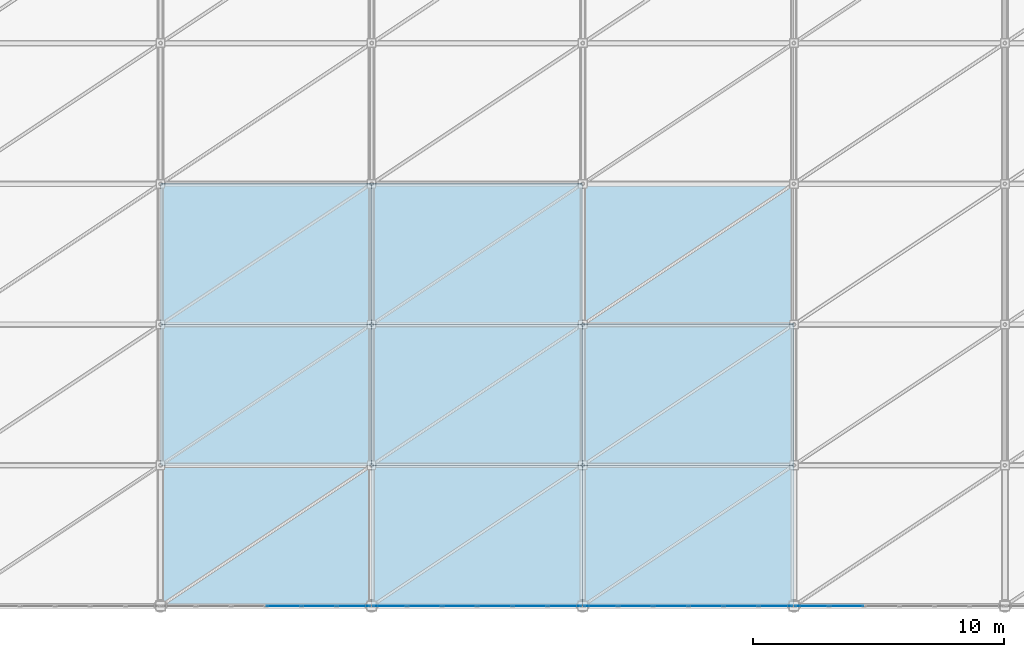
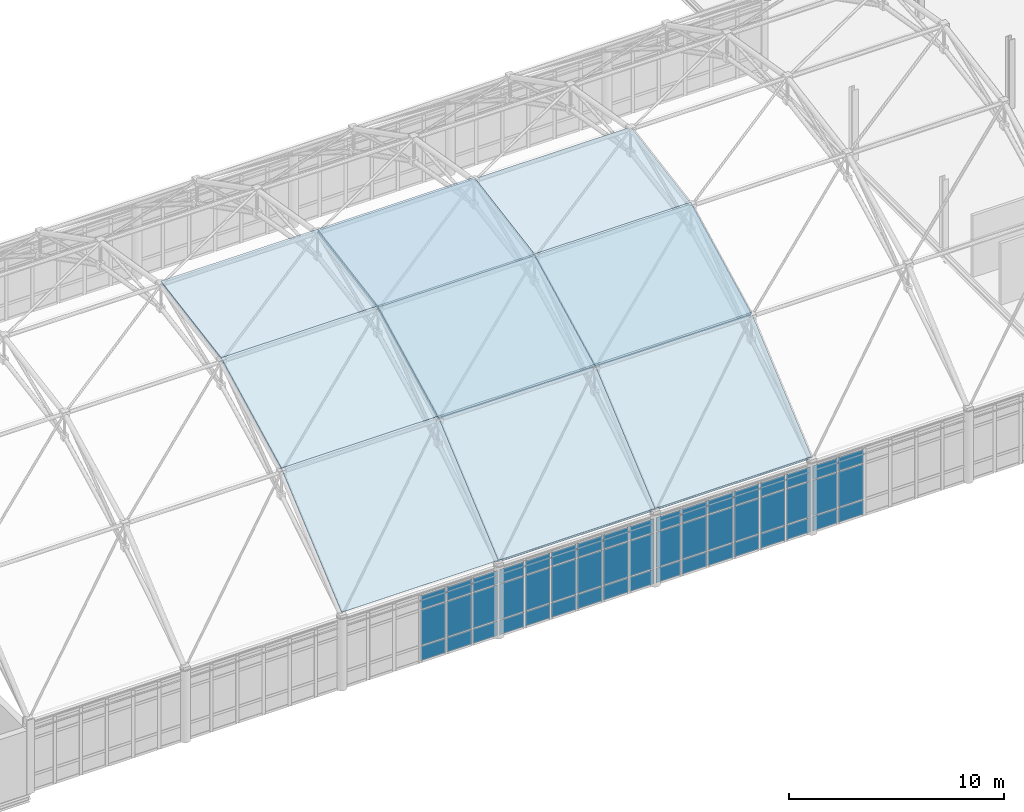
# One storey, part 138 of 184: 59 plates, 8 slabs, 5 elements without a shape of their own.
"""IFC4 building model written with IfcOpenShell, lengths in metres."""

from ifc_helpers import new_model, si_unit, direction, frame, origin, origin_2d, place, context, subcontext, project, spatial, polyline, rectangle, outline, extrude, material, layer, layer_set, type_object, element, aggregate, save


model = new_model("IFC4")

# Units and contexts
model_context = context("Model", 3, precision=1e-05, world=origin(), true_north=direction((0.0, 1.0)))
body_context = subcontext(model_context, "Body", "Model", "MODEL_VIEW")
ifc_project = project(units=[si_unit("LENGTHUNIT", "METRE"), si_unit("AREAUNIT", "SQUARE_METRE"), si_unit("VOLUMEUNIT", "CUBIC_METRE"), si_unit("PLANEANGLEUNIT", "RADIAN"), si_unit("MASSUNIT", "GRAM", prefix="KILO")], contexts=[model_context])

# Site, building, storey
site_placement = place(None, origin())
site = spatial("IfcSite", under=ifc_project, at=site_placement, CompositionType="ELEMENT")
building_placement = place(site_placement, origin())
building = spatial("IfcBuilding", under=site, at=building_placement, Name="Qalvenar Corner Mobility Hub", CompositionType="ELEMENT")
storey_placement = place(building_placement, frame((0.0, 0.0, 9.0)))
storey = spatial("IfcBuildingStorey", under=building, at=storey_placement, Name="L02", CompositionType="ELEMENT", Elevation=9.0)

# Curtain wall, plates
ifc_material_1 = material(Name="Anodised Aluminium and Low-E Glazing", Category="aluminium")
ifc_layer_1 = layer(ifc_material_1, 0.179931640625)
ifc_layer_set_1 = layer_set([ifc_layer_1], Name="Anodised Aluminium and Low-E Glazing")
curtain_wall_type = type_object("IfcCurtainWallType", Name="CW-CONC-84X42", PredefinedType="NOTDEFINED", material=ifc_layer_set_1)
curtain_wall_1_placement = place(storey_placement, origin())
curtain_wall_1 = element("IfcCurtainWall", 1, at=curtain_wall_1_placement, inside=storey, type_object=curtain_wall_type, Name="Glazed Curtain Wall CW-V1-L02-S2", PredefinedType="NOTDEFINED")
ifc_material_2 = material(Name="Solar-Control Low-E Double Glazing", Category="glass")
ifc_layer_2 = layer(ifc_material_2, 0.028076171875)
ifc_layer_set_2 = layer_set([ifc_layer_2], Name="Solar-Control Low-E Double Glazing")
plate_type_1 = type_object("IfcPlateType", Name="PLT-CWP-GLZ1", PredefinedType="CURTAIN_PANEL", material=ifc_layer_set_2)
plate_1_placement = place(storey_placement, frame((72.10009765625, 0.0, 0.05517578125), z_axis=(0.0, 0.0, 1.0), x_axis=(1.0, 0.0, 0.0)))
plate_1 = element("IfcPlate", 2, at=plate_1_placement, type_object=plate_type_1, Name="CW-02 panel 4.1", PredefinedType="CURTAIN_PANEL", context=body_context, shape_type="SweptSolid", body=[
    extrude(rectangle(XDim=1.340087890625, YDim=0.028076171875, at=origin_2d()), origin(), (0.0, 0.0, 1.0), 0.8173828125),
])
plate_2_placement = place(storey_placement, frame((72.10009765625, 0.0, 0.927490234375), z_axis=(0.0, 0.0, 1.0), x_axis=(1.0, 0.0, 0.0)))
plate_2 = element("IfcPlate", 3, at=plate_2_placement, type_object=plate_type_1, Name="CW-02 panel 4.2", PredefinedType="CURTAIN_PANEL", context=body_context, shape_type="SweptSolid", body=[
    extrude(rectangle(XDim=1.340087890625, YDim=0.028076171875, at=origin_2d()), origin(), (0.0, 0.0, 1.0), 1.9951171875),
])
plate_3_placement = place(storey_placement, frame((72.10009765625, 0.0, 2.9775390625), z_axis=(0.0, 0.0, 1.0), x_axis=(1.0, 0.0, 0.0)))
plate_3 = element("IfcPlate", 4, at=plate_3_placement, type_object=plate_type_1, Name="CW-02 panel 4.3", PredefinedType="CURTAIN_PANEL", context=body_context, shape_type="SweptSolid", body=[
    extrude(rectangle(XDim=1.340087890625, YDim=0.028076171875, at=origin_2d()), origin(), (0.0, 0.0, 1.0), 0.767578125),
])
plate_4_placement = place(storey_placement, frame((73.5, 0.0, 0.05517578125), z_axis=(0.0, 0.0, 1.0), x_axis=(1.0, 0.0, 0.0)))
plate_4 = element("IfcPlate", 5, at=plate_4_placement, type_object=plate_type_1, Name="CW-02 panel 5.1", PredefinedType="CURTAIN_PANEL", context=body_context, shape_type="SweptSolid", body=[
    extrude(rectangle(XDim=1.340087890625, YDim=0.028076171875, at=origin_2d()), origin(), (0.0, 0.0, 1.0), 0.8173828125),
])
plate_5_placement = place(storey_placement, frame((73.5, 0.0, 0.927490234375), z_axis=(0.0, 0.0, 1.0), x_axis=(1.0, 0.0, 0.0)))
plate_5 = element("IfcPlate", 6, at=plate_5_placement, type_object=plate_type_1, Name="CW-02 panel 5.2", PredefinedType="CURTAIN_PANEL", context=body_context, shape_type="SweptSolid", body=[
    extrude(rectangle(XDim=1.340087890625, YDim=0.028076171875, at=origin_2d()), origin(), (0.0, 0.0, 1.0), 1.9951171875),
])
plate_6_placement = place(storey_placement, frame((73.5, 0.0, 2.9775390625), z_axis=(0.0, 0.0, 1.0), x_axis=(1.0, 0.0, 0.0)))
plate_6 = element("IfcPlate", 7, at=plate_6_placement, type_object=plate_type_1, Name="CW-02 panel 5.3", PredefinedType="CURTAIN_PANEL", context=body_context, shape_type="SweptSolid", body=[
    extrude(rectangle(XDim=1.340087890625, YDim=0.028076171875, at=origin_2d()), origin(), (0.0, 0.0, 1.0), 0.767578125),
])
plate_7_placement = place(storey_placement, frame((74.885009765625, 0.0, 0.05517578125), z_axis=(0.0, 0.0, 1.0), x_axis=(1.0, 0.0, 0.0)))
plate_7 = element("IfcPlate", 8, at=plate_7_placement, type_object=plate_type_1, Name="CW-02 panel 6.1", PredefinedType="CURTAIN_PANEL", context=body_context, shape_type="SweptSolid", body=[
    extrude(rectangle(XDim=1.31005859375, YDim=0.028076171875, at=origin_2d()), origin(), (0.0, 0.0, 1.0), 0.8173828125),
])
plate_8_placement = place(storey_placement, frame((74.885009765625, 0.0, 0.927490234375), z_axis=(0.0, 0.0, 1.0), x_axis=(1.0, 0.0, 0.0)))
plate_8 = element("IfcPlate", 9, at=plate_8_placement, type_object=plate_type_1, Name="CW-02 panel 6.2", PredefinedType="CURTAIN_PANEL", context=body_context, shape_type="SweptSolid", body=[
    extrude(rectangle(XDim=1.31005859375, YDim=0.028076171875, at=origin_2d()), origin(), (0.0, 0.0, 1.0), 1.9951171875),
])
plate_9_placement = place(storey_placement, frame((74.885009765625, 0.0, 2.9775390625), z_axis=(0.0, 0.0, 1.0), x_axis=(1.0, 0.0, 0.0)))
plate_9 = element("IfcPlate", 10, at=plate_9_placement, type_object=plate_type_1, Name="CW-02 panel 6.3", PredefinedType="CURTAIN_PANEL", context=body_context, shape_type="SweptSolid", body=[
    extrude(rectangle(XDim=1.31005859375, YDim=0.028076171875, at=origin_2d()), origin(), (0.0, 0.0, 1.0), 0.767578125),
])
aggregate(curtain_wall_1, [plate_1, plate_2, plate_3, plate_4, plate_5, plate_6, plate_7, plate_8, plate_9])

curtain_wall_2_placement = place(storey_placement, origin())
curtain_wall_2 = element("IfcCurtainWall", 11, at=curtain_wall_2_placement, inside=storey, type_object=curtain_wall_type, Name="Glazed Curtain Wall CW-V1-L02-S3", PredefinedType="NOTDEFINED")
plate_10_placement = place(storey_placement, frame((76.31494140625, 0.0, 0.05517578125), z_axis=(0.0, 0.0, 1.0), x_axis=(1.0, 0.0, 0.0)))
plate_10 = element("IfcPlate", 12, at=plate_10_placement, type_object=plate_type_1, Name="CW-02 panel 1.1", PredefinedType="CURTAIN_PANEL", context=body_context, shape_type="SweptSolid", body=[
    extrude(rectangle(XDim=1.31005859375, YDim=0.028076171875, at=origin_2d()), origin(), (0.0, 0.0, 1.0), 0.8173828125),
])
plate_11_placement = place(storey_placement, frame((76.31494140625, 0.0, 0.927490234375), z_axis=(0.0, 0.0, 1.0), x_axis=(1.0, 0.0, 0.0)))
plate_11 = element("IfcPlate", 13, at=plate_11_placement, type_object=plate_type_1, Name="CW-02 panel 1.2", PredefinedType="CURTAIN_PANEL", context=body_context, shape_type="SweptSolid", body=[
    extrude(rectangle(XDim=1.31005859375, YDim=0.028076171875, at=origin_2d()), origin(), (0.0, 0.0, 1.0), 1.9951171875),
])
plate_12_placement = place(storey_placement, frame((76.31494140625, 0.0, 2.9775390625), z_axis=(0.0, 0.0, 1.0), x_axis=(1.0, 0.0, 0.0)))
plate_12 = element("IfcPlate", 14, at=plate_12_placement, type_object=plate_type_1, Name="CW-02 panel 1.3", PredefinedType="CURTAIN_PANEL", context=body_context, shape_type="SweptSolid", body=[
    extrude(rectangle(XDim=1.31005859375, YDim=0.028076171875, at=origin_2d()), origin(), (0.0, 0.0, 1.0), 0.767578125),
])
plate_13_placement = place(storey_placement, frame((77.699951171875, 0.0, 0.05517578125), z_axis=(0.0, 0.0, 1.0), x_axis=(1.0, 0.0, 0.0)))
plate_13 = element("IfcPlate", 15, at=plate_13_placement, type_object=plate_type_1, Name="CW-02 panel 2.1", PredefinedType="CURTAIN_PANEL", context=body_context, shape_type="SweptSolid", body=[
    extrude(rectangle(XDim=1.340087890625, YDim=0.028076171875, at=origin_2d()), origin(), (0.0, 0.0, 1.0), 0.8173828125),
])
plate_14_placement = place(storey_placement, frame((77.699951171875, 0.0, 0.927490234375), z_axis=(0.0, 0.0, 1.0), x_axis=(1.0, 0.0, 0.0)))
plate_14 = element("IfcPlate", 16, at=plate_14_placement, type_object=plate_type_1, Name="CW-02 panel 2.2", PredefinedType="CURTAIN_PANEL", context=body_context, shape_type="SweptSolid", body=[
    extrude(rectangle(XDim=1.340087890625, YDim=0.028076171875, at=origin_2d()), origin(), (0.0, 0.0, 1.0), 1.9951171875),
])
plate_15_placement = place(storey_placement, frame((77.699951171875, 0.0, 2.9775390625), z_axis=(0.0, 0.0, 1.0), x_axis=(1.0, 0.0, 0.0)))
plate_15 = element("IfcPlate", 17, at=plate_15_placement, type_object=plate_type_1, Name="CW-02 panel 2.3", PredefinedType="CURTAIN_PANEL", context=body_context, shape_type="SweptSolid", body=[
    extrude(rectangle(XDim=1.340087890625, YDim=0.028076171875, at=origin_2d()), origin(), (0.0, 0.0, 1.0), 0.767578125),
])
plate_16_placement = place(storey_placement, frame((79.10009765625, 0.0, 0.05517578125), z_axis=(0.0, 0.0, 1.0), x_axis=(1.0, 0.0, 0.0)))
plate_16 = element("IfcPlate", 18, at=plate_16_placement, type_object=plate_type_1, Name="CW-02 panel 3.1", PredefinedType="CURTAIN_PANEL", context=body_context, shape_type="SweptSolid", body=[
    extrude(rectangle(XDim=1.340087890625, YDim=0.028076171875, at=origin_2d()), origin(), (0.0, 0.0, 1.0), 0.8173828125),
])
plate_17_placement = place(storey_placement, frame((79.10009765625, 0.0, 0.927490234375), z_axis=(0.0, 0.0, 1.0), x_axis=(1.0, 0.0, 0.0)))
plate_17 = element("IfcPlate", 19, at=plate_17_placement, type_object=plate_type_1, Name="CW-02 panel 3.2", PredefinedType="CURTAIN_PANEL", context=body_context, shape_type="SweptSolid", body=[
    extrude(rectangle(XDim=1.340087890625, YDim=0.028076171875, at=origin_2d()), origin(), (0.0, 0.0, 1.0), 1.9951171875),
])
plate_18_placement = place(storey_placement, frame((79.10009765625, 0.0, 2.9775390625), z_axis=(0.0, 0.0, 1.0), x_axis=(1.0, 0.0, 0.0)))
plate_18 = element("IfcPlate", 20, at=plate_18_placement, type_object=plate_type_1, Name="CW-02 panel 3.3", PredefinedType="CURTAIN_PANEL", context=body_context, shape_type="SweptSolid", body=[
    extrude(rectangle(XDim=1.340087890625, YDim=0.028076171875, at=origin_2d()), origin(), (0.0, 0.0, 1.0), 0.767578125),
])
plate_19_placement = place(storey_placement, frame((80.5, 0.0, 0.05517578125), z_axis=(0.0, 0.0, 1.0), x_axis=(1.0, 0.0, 0.0)))
plate_19 = element("IfcPlate", 21, at=plate_19_placement, type_object=plate_type_1, Name="CW-02 panel 4.1", PredefinedType="CURTAIN_PANEL", context=body_context, shape_type="SweptSolid", body=[
    extrude(rectangle(XDim=1.340087890625, YDim=0.028076171875, at=origin_2d()), origin(), (0.0, 0.0, 1.0), 0.8173828125),
])
plate_20_placement = place(storey_placement, frame((80.5, 0.0, 0.927490234375), z_axis=(0.0, 0.0, 1.0), x_axis=(1.0, 0.0, 0.0)))
plate_20 = element("IfcPlate", 22, at=plate_20_placement, type_object=plate_type_1, Name="CW-02 panel 4.2", PredefinedType="CURTAIN_PANEL", context=body_context, shape_type="SweptSolid", body=[
    extrude(rectangle(XDim=1.340087890625, YDim=0.028076171875, at=origin_2d()), origin(), (0.0, 0.0, 1.0), 1.9951171875),
])
plate_21_placement = place(storey_placement, frame((80.5, 0.0, 2.9775390625), z_axis=(0.0, 0.0, 1.0), x_axis=(1.0, 0.0, 0.0)))
plate_21 = element("IfcPlate", 23, at=plate_21_placement, type_object=plate_type_1, Name="CW-02 panel 4.3", PredefinedType="CURTAIN_PANEL", context=body_context, shape_type="SweptSolid", body=[
    extrude(rectangle(XDim=1.340087890625, YDim=0.028076171875, at=origin_2d()), origin(), (0.0, 0.0, 1.0), 0.767578125),
])
plate_22_placement = place(storey_placement, frame((81.89990234375, 0.0, 0.05517578125), z_axis=(0.0, 0.0, 1.0), x_axis=(1.0, 0.0, 0.0)))
plate_22 = element("IfcPlate", 24, at=plate_22_placement, type_object=plate_type_1, Name="CW-02 panel 5.1", PredefinedType="CURTAIN_PANEL", context=body_context, shape_type="SweptSolid", body=[
    extrude(rectangle(XDim=1.340087890625, YDim=0.028076171875, at=origin_2d()), origin(), (0.0, 0.0, 1.0), 0.8173828125),
])
plate_23_placement = place(storey_placement, frame((81.89990234375, 0.0, 0.927490234375), z_axis=(0.0, 0.0, 1.0), x_axis=(1.0, 0.0, 0.0)))
plate_23 = element("IfcPlate", 25, at=plate_23_placement, type_object=plate_type_1, Name="CW-02 panel 5.2", PredefinedType="CURTAIN_PANEL", context=body_context, shape_type="SweptSolid", body=[
    extrude(rectangle(XDim=1.340087890625, YDim=0.028076171875, at=origin_2d()), origin(), (0.0, 0.0, 1.0), 1.9951171875),
])
plate_24_placement = place(storey_placement, frame((81.89990234375, 0.0, 2.9775390625), z_axis=(0.0, 0.0, 1.0), x_axis=(1.0, 0.0, 0.0)))
plate_24 = element("IfcPlate", 26, at=plate_24_placement, type_object=plate_type_1, Name="CW-02 panel 5.3", PredefinedType="CURTAIN_PANEL", context=body_context, shape_type="SweptSolid", body=[
    extrude(rectangle(XDim=1.340087890625, YDim=0.028076171875, at=origin_2d()), origin(), (0.0, 0.0, 1.0), 0.767578125),
])
plate_25_placement = place(storey_placement, frame((83.284912109375, 0.0, 0.05517578125), z_axis=(0.0, 0.0, 1.0), x_axis=(1.0, 0.0, 0.0)))
plate_25 = element("IfcPlate", 27, at=plate_25_placement, type_object=plate_type_1, Name="CW-02 panel 6.1", PredefinedType="CURTAIN_PANEL", context=body_context, shape_type="SweptSolid", body=[
    extrude(rectangle(XDim=1.31005859375, YDim=0.028076171875, at=origin_2d()), origin(), (0.0, 0.0, 1.0), 0.8173828125),
])
plate_26_placement = place(storey_placement, frame((83.284912109375, 0.0, 0.927490234375), z_axis=(0.0, 0.0, 1.0), x_axis=(1.0, 0.0, 0.0)))
plate_26 = element("IfcPlate", 28, at=plate_26_placement, type_object=plate_type_1, Name="CW-02 panel 6.2", PredefinedType="CURTAIN_PANEL", context=body_context, shape_type="SweptSolid", body=[
    extrude(rectangle(XDim=1.31005859375, YDim=0.028076171875, at=origin_2d()), origin(), (0.0, 0.0, 1.0), 1.9951171875),
])
plate_27_placement = place(storey_placement, frame((83.284912109375, 0.0, 2.9775390625), z_axis=(0.0, 0.0, 1.0), x_axis=(1.0, 0.0, 0.0)))
plate_27 = element("IfcPlate", 29, at=plate_27_placement, type_object=plate_type_1, Name="CW-02 panel 6.3", PredefinedType="CURTAIN_PANEL", context=body_context, shape_type="SweptSolid", body=[
    extrude(rectangle(XDim=1.31005859375, YDim=0.028076171875, at=origin_2d()), origin(), (0.0, 0.0, 1.0), 0.767578125),
])
aggregate(curtain_wall_2, [plate_10, plate_11, plate_12, plate_13, plate_14, plate_15, plate_16, plate_17, plate_18, plate_19, plate_20, plate_21, plate_22, plate_23, plate_24, plate_25, plate_26, plate_27])

curtain_wall_3_placement = place(storey_placement, origin())
curtain_wall_3 = element("IfcCurtainWall", 30, at=curtain_wall_3_placement, inside=storey, type_object=curtain_wall_type, Name="Glazed Curtain Wall CW-V1-L02-S4", PredefinedType="NOTDEFINED")
plate_28_placement = place(storey_placement, frame((84.715087890625, 0.0, 0.05517578125), z_axis=(0.0, 0.0, 1.0), x_axis=(1.0, 0.0, 0.0)))
plate_28 = element("IfcPlate", 31, at=plate_28_placement, type_object=plate_type_1, Name="CW-02 panel 1.1", PredefinedType="CURTAIN_PANEL", context=body_context, shape_type="SweptSolid", body=[
    extrude(rectangle(XDim=1.31005859375, YDim=0.028076171875, at=origin_2d()), origin(), (0.0, 0.0, 1.0), 0.8173828125),
])
plate_29_placement = place(storey_placement, frame((84.715087890625, 0.0, 0.927490234375), z_axis=(0.0, 0.0, 1.0), x_axis=(1.0, 0.0, 0.0)))
plate_29 = element("IfcPlate", 32, at=plate_29_placement, type_object=plate_type_1, Name="CW-02 panel 1.2", PredefinedType="CURTAIN_PANEL", context=body_context, shape_type="SweptSolid", body=[
    extrude(rectangle(XDim=1.31005859375, YDim=0.028076171875, at=origin_2d()), origin(), (0.0, 0.0, 1.0), 1.9951171875),
])
plate_30_placement = place(storey_placement, frame((84.715087890625, 0.0, 2.9775390625), z_axis=(0.0, 0.0, 1.0), x_axis=(1.0, 0.0, 0.0)))
plate_30 = element("IfcPlate", 33, at=plate_30_placement, type_object=plate_type_1, Name="CW-02 panel 1.3", PredefinedType="CURTAIN_PANEL", context=body_context, shape_type="SweptSolid", body=[
    extrude(rectangle(XDim=1.31005859375, YDim=0.028076171875, at=origin_2d()), origin(), (0.0, 0.0, 1.0), 0.767578125),
])
plate_31_placement = place(storey_placement, frame((86.10009765625, 0.0, 0.05517578125), z_axis=(0.0, 0.0, 1.0), x_axis=(1.0, 0.0, 0.0)))
plate_31 = element("IfcPlate", 34, at=plate_31_placement, type_object=plate_type_1, Name="CW-02 panel 2.1", PredefinedType="CURTAIN_PANEL", context=body_context, shape_type="SweptSolid", body=[
    extrude(rectangle(XDim=1.340087890625, YDim=0.028076171875, at=origin_2d()), origin(), (0.0, 0.0, 1.0), 0.8173828125),
])
plate_32_placement = place(storey_placement, frame((86.10009765625, 0.0, 0.927490234375), z_axis=(0.0, 0.0, 1.0), x_axis=(1.0, 0.0, 0.0)))
plate_32 = element("IfcPlate", 35, at=plate_32_placement, type_object=plate_type_1, Name="CW-02 panel 2.2", PredefinedType="CURTAIN_PANEL", context=body_context, shape_type="SweptSolid", body=[
    extrude(rectangle(XDim=1.340087890625, YDim=0.028076171875, at=origin_2d()), origin(), (0.0, 0.0, 1.0), 1.9951171875),
])
plate_33_placement = place(storey_placement, frame((86.10009765625, 0.0, 2.9775390625), z_axis=(0.0, 0.0, 1.0), x_axis=(1.0, 0.0, 0.0)))
plate_33 = element("IfcPlate", 36, at=plate_33_placement, type_object=plate_type_1, Name="CW-02 panel 2.3", PredefinedType="CURTAIN_PANEL", context=body_context, shape_type="SweptSolid", body=[
    extrude(rectangle(XDim=1.340087890625, YDim=0.028076171875, at=origin_2d()), origin(), (0.0, 0.0, 1.0), 0.767578125),
])
plate_34_placement = place(storey_placement, frame((87.5, 0.0, 0.05517578125), z_axis=(0.0, 0.0, 1.0), x_axis=(1.0, 0.0, 0.0)))
plate_34 = element("IfcPlate", 37, at=plate_34_placement, type_object=plate_type_1, Name="CW-02 panel 3.1", PredefinedType="CURTAIN_PANEL", context=body_context, shape_type="SweptSolid", body=[
    extrude(rectangle(XDim=1.340087890625, YDim=0.028076171875, at=origin_2d()), origin(), (0.0, 0.0, 1.0), 0.8173828125),
])
plate_35_placement = place(storey_placement, frame((87.5, 0.0, 0.927490234375), z_axis=(0.0, 0.0, 1.0), x_axis=(1.0, 0.0, 0.0)))
plate_35 = element("IfcPlate", 38, at=plate_35_placement, type_object=plate_type_1, Name="CW-02 panel 3.2", PredefinedType="CURTAIN_PANEL", context=body_context, shape_type="SweptSolid", body=[
    extrude(rectangle(XDim=1.340087890625, YDim=0.028076171875, at=origin_2d()), origin(), (0.0, 0.0, 1.0), 1.9951171875),
])
plate_36_placement = place(storey_placement, frame((87.5, 0.0, 2.9775390625), z_axis=(0.0, 0.0, 1.0), x_axis=(1.0, 0.0, 0.0)))
plate_36 = element("IfcPlate", 39, at=plate_36_placement, type_object=plate_type_1, Name="CW-02 panel 3.3", PredefinedType="CURTAIN_PANEL", context=body_context, shape_type="SweptSolid", body=[
    extrude(rectangle(XDim=1.340087890625, YDim=0.028076171875, at=origin_2d()), origin(), (0.0, 0.0, 1.0), 0.767578125),
])
plate_37_placement = place(storey_placement, frame((88.89990234375, 0.0, 0.05517578125), z_axis=(0.0, 0.0, 1.0), x_axis=(1.0, 0.0, 0.0)))
plate_37 = element("IfcPlate", 40, at=plate_37_placement, type_object=plate_type_1, Name="CW-02 panel 4.1", PredefinedType="CURTAIN_PANEL", context=body_context, shape_type="SweptSolid", body=[
    extrude(rectangle(XDim=1.340087890625, YDim=0.028076171875, at=origin_2d()), origin(), (0.0, 0.0, 1.0), 0.8173828125),
])
plate_38_placement = place(storey_placement, frame((88.89990234375, 0.0, 0.927490234375), z_axis=(0.0, 0.0, 1.0), x_axis=(1.0, 0.0, 0.0)))
plate_38 = element("IfcPlate", 41, at=plate_38_placement, type_object=plate_type_1, Name="CW-02 panel 4.2", PredefinedType="CURTAIN_PANEL", context=body_context, shape_type="SweptSolid", body=[
    extrude(rectangle(XDim=1.340087890625, YDim=0.028076171875, at=origin_2d()), origin(), (0.0, 0.0, 1.0), 1.9951171875),
])
plate_39_placement = place(storey_placement, frame((88.89990234375, 0.0, 2.9775390625), z_axis=(0.0, 0.0, 1.0), x_axis=(1.0, 0.0, 0.0)))
plate_39 = element("IfcPlate", 42, at=plate_39_placement, type_object=plate_type_1, Name="CW-02 panel 4.3", PredefinedType="CURTAIN_PANEL", context=body_context, shape_type="SweptSolid", body=[
    extrude(rectangle(XDim=1.340087890625, YDim=0.028076171875, at=origin_2d()), origin(), (0.0, 0.0, 1.0), 0.767578125),
])
plate_40_placement = place(storey_placement, frame((90.300048828125, 0.0, 0.05517578125), z_axis=(0.0, 0.0, 1.0), x_axis=(1.0, 0.0, 0.0)))
plate_40 = element("IfcPlate", 43, at=plate_40_placement, type_object=plate_type_1, Name="CW-02 panel 5.1", PredefinedType="CURTAIN_PANEL", context=body_context, shape_type="SweptSolid", body=[
    extrude(rectangle(XDim=1.340087890625, YDim=0.028076171875, at=origin_2d()), origin(), (0.0, 0.0, 1.0), 0.8173828125),
])
plate_41_placement = place(storey_placement, frame((90.300048828125, 0.0, 0.927490234375), z_axis=(0.0, 0.0, 1.0), x_axis=(1.0, 0.0, 0.0)))
plate_41 = element("IfcPlate", 44, at=plate_41_placement, type_object=plate_type_1, Name="CW-02 panel 5.2", PredefinedType="CURTAIN_PANEL", context=body_context, shape_type="SweptSolid", body=[
    extrude(rectangle(XDim=1.340087890625, YDim=0.028076171875, at=origin_2d()), origin(), (0.0, 0.0, 1.0), 1.9951171875),
])
plate_42_placement = place(storey_placement, frame((90.300048828125, 0.0, 2.9775390625), z_axis=(0.0, 0.0, 1.0), x_axis=(1.0, 0.0, 0.0)))
plate_42 = element("IfcPlate", 45, at=plate_42_placement, type_object=plate_type_1, Name="CW-02 panel 5.3", PredefinedType="CURTAIN_PANEL", context=body_context, shape_type="SweptSolid", body=[
    extrude(rectangle(XDim=1.340087890625, YDim=0.028076171875, at=origin_2d()), origin(), (0.0, 0.0, 1.0), 0.767578125),
])
plate_43_placement = place(storey_placement, frame((91.68505859375, 0.0, 0.05517578125), z_axis=(0.0, 0.0, 1.0), x_axis=(1.0, 0.0, 0.0)))
plate_43 = element("IfcPlate", 46, at=plate_43_placement, type_object=plate_type_1, Name="CW-02 panel 6.1", PredefinedType="CURTAIN_PANEL", context=body_context, shape_type="SweptSolid", body=[
    extrude(rectangle(XDim=1.31005859375, YDim=0.028076171875, at=origin_2d()), origin(), (0.0, 0.0, 1.0), 0.8173828125),
])
plate_44_placement = place(storey_placement, frame((91.68505859375, 0.0, 0.927490234375), z_axis=(0.0, 0.0, 1.0), x_axis=(1.0, 0.0, 0.0)))
plate_44 = element("IfcPlate", 47, at=plate_44_placement, type_object=plate_type_1, Name="CW-02 panel 6.2", PredefinedType="CURTAIN_PANEL", context=body_context, shape_type="SweptSolid", body=[
    extrude(rectangle(XDim=1.31005859375, YDim=0.028076171875, at=origin_2d()), origin(), (0.0, 0.0, 1.0), 1.9951171875),
])
plate_45_placement = place(storey_placement, frame((91.68505859375, 0.0, 2.9775390625), z_axis=(0.0, 0.0, 1.0), x_axis=(1.0, 0.0, 0.0)))
plate_45 = element("IfcPlate", 48, at=plate_45_placement, type_object=plate_type_1, Name="CW-02 panel 6.3", PredefinedType="CURTAIN_PANEL", context=body_context, shape_type="SweptSolid", body=[
    extrude(rectangle(XDim=1.31005859375, YDim=0.028076171875, at=origin_2d()), origin(), (0.0, 0.0, 1.0), 0.767578125),
])
aggregate(curtain_wall_3, [plate_28, plate_29, plate_30, plate_31, plate_32, plate_33, plate_34, plate_35, plate_36, plate_37, plate_38, plate_39, plate_40, plate_41, plate_42, plate_43, plate_44, plate_45])

curtain_wall_4_placement = place(storey_placement, origin())
curtain_wall_4 = element("IfcCurtainWall", 49, at=curtain_wall_4_placement, inside=storey, type_object=curtain_wall_type, Name="Glazed Curtain Wall CW-V1-L02-S5", PredefinedType="NOTDEFINED")
plate_46_placement = place(storey_placement, frame((93.114990234375, 0.0, 0.05517578125), z_axis=(0.0, 0.0, 1.0), x_axis=(1.0, 0.0, 0.0)))
plate_46 = element("IfcPlate", 50, at=plate_46_placement, type_object=plate_type_1, Name="CW-02 panel 1.1", PredefinedType="CURTAIN_PANEL", context=body_context, shape_type="SweptSolid", body=[
    extrude(rectangle(XDim=1.31005859375, YDim=0.028076171875, at=origin_2d()), origin(), (0.0, 0.0, 1.0), 0.8173828125),
])
plate_47_placement = place(storey_placement, frame((93.114990234375, 0.0, 0.927490234375), z_axis=(0.0, 0.0, 1.0), x_axis=(1.0, 0.0, 0.0)))
plate_47 = element("IfcPlate", 51, at=plate_47_placement, type_object=plate_type_1, Name="CW-02 panel 1.2", PredefinedType="CURTAIN_PANEL", context=body_context, shape_type="SweptSolid", body=[
    extrude(rectangle(XDim=1.31005859375, YDim=0.028076171875, at=origin_2d()), origin(), (0.0, 0.0, 1.0), 1.9951171875),
])
plate_48_placement = place(storey_placement, frame((93.114990234375, 0.0, 2.9775390625), z_axis=(0.0, 0.0, 1.0), x_axis=(1.0, 0.0, 0.0)))
plate_48 = element("IfcPlate", 52, at=plate_48_placement, type_object=plate_type_1, Name="CW-02 panel 1.3", PredefinedType="CURTAIN_PANEL", context=body_context, shape_type="SweptSolid", body=[
    extrude(rectangle(XDim=1.31005859375, YDim=0.028076171875, at=origin_2d()), origin(), (0.0, 0.0, 1.0), 0.767578125),
])
plate_49_placement = place(storey_placement, frame((94.5, 0.0, 0.05517578125), z_axis=(0.0, 0.0, 1.0), x_axis=(1.0, 0.0, 0.0)))
plate_49 = element("IfcPlate", 53, at=plate_49_placement, type_object=plate_type_1, Name="CW-02 panel 2.1", PredefinedType="CURTAIN_PANEL", context=body_context, shape_type="SweptSolid", body=[
    extrude(rectangle(XDim=1.340087890625, YDim=0.028076171875, at=origin_2d()), origin(), (0.0, 0.0, 1.0), 0.8173828125),
])
plate_50_placement = place(storey_placement, frame((94.5, 0.0, 0.927490234375), z_axis=(0.0, 0.0, 1.0), x_axis=(1.0, 0.0, 0.0)))
plate_50 = element("IfcPlate", 54, at=plate_50_placement, type_object=plate_type_1, Name="CW-02 panel 2.2", PredefinedType="CURTAIN_PANEL", context=body_context, shape_type="SweptSolid", body=[
    extrude(rectangle(XDim=1.340087890625, YDim=0.028076171875, at=origin_2d()), origin(), (0.0, 0.0, 1.0), 1.9951171875),
])
plate_51_placement = place(storey_placement, frame((94.5, 0.0, 2.9775390625), z_axis=(0.0, 0.0, 1.0), x_axis=(1.0, 0.0, 0.0)))
plate_51 = element("IfcPlate", 55, at=plate_51_placement, type_object=plate_type_1, Name="CW-02 panel 2.3", PredefinedType="CURTAIN_PANEL", context=body_context, shape_type="SweptSolid", body=[
    extrude(rectangle(XDim=1.340087890625, YDim=0.028076171875, at=origin_2d()), origin(), (0.0, 0.0, 1.0), 0.767578125),
])
aggregate(curtain_wall_4, [plate_46, plate_47, plate_48, plate_49, plate_50, plate_51])

# Plates
ifc_material_3 = material(Name="Insulated Standing-Seam Aluminium Roof Cassette", Category="aluminium")
ifc_layer_3 = layer(ifc_material_3, 0.0849609375)
ifc_layer_set_3 = layer_set([ifc_layer_3], Name="Insulated Standing-Seam Aluminium Roof Cassette")
plate_type_2 = type_object("IfcPlateType", Name="PLT-SFR-CAS1", PredefinedType="SHEET", material=ifc_layer_set_3)
plate_52_placement = place(storey_placement, frame((67.199951171875, 0.0, 4.2900390625), z_axis=(0.0, -0.64904710972, 0.760748216799), x_axis=(1.0, 0.0, 0.0)))
element("IfcPlate", 56, at=plate_52_placement, inside=storey, type_object=plate_type_2, Name="Space Frame Roof Cassette RPC-3-1", PredefinedType="SHEET", context=body_context, shape_type="SweptSolid", body=[
    extrude(outline(polyline([(0.0, 0.0), (8.400146484375, 0.0), (8.400146484375, 7.361302376507519), (0.0, 7.361302376507519), (0.0, 0.0)])), origin(), (0.0, 0.0, -1.0), 0.0849609375),
])
for number, where, z_axis, x_axis, name in (
    (57, (75.60009765625, 0.0, 4.2900390625), (0.0, -0.64904710972, 0.760748216799), (1.0, 0.0, 0.0), "Space Frame Roof Cassette RPC-4-1"),
    (58, (84.0, 0.0, 4.2900390625), (0.0, -0.64904710972, 0.760748216799), (1.0, 0.0, 0.0), "Space Frame Roof Cassette RPC-5-1"),
):
    element("IfcPlate", number, at=place(storey_placement, frame(where, z_axis=z_axis, x_axis=x_axis)), inside=storey, type_object=plate_type_2, Name=name, PredefinedType="SHEET", context=body_context, shape_type="SweptSolid", body=[
        extrude(outline(polyline([(0.0, 0.0), (8.39990234375, 0.0), (8.39990234375, 7.361302376507519), (0.0, 7.361302376507519), (0.0, 0.0)])), origin(), (0.0, 0.0, -1.0), 0.0849609375),
    ])
ifc_material_4 = material(Name="Insulated Standing-Seam Aluminium Roof Cassette", Category="aluminium")
ifc_layer_4 = layer(ifc_material_4, 0.080078125)
ifc_layer_set_4 = layer_set([ifc_layer_4], Name="Insulated Standing-Seam Aluminium Roof Cassette")
plate_type_3 = type_object("IfcPlateType", Name="PLT-SFR-CAS2", PredefinedType="SHEET", material=ifc_layer_set_4)
plate_53_placement = place(storey_placement, frame((67.199951171875, 5.60009765625, 9.062744140625), z_axis=(0.0, -0.45568465352, 0.890141278981), x_axis=(1.0, 0.0, 0.0)))
element("IfcPlate", 59, at=plate_53_placement, inside=storey, type_object=plate_type_3, Name="Space Frame Roof Cassette RPC-3-2", PredefinedType="SHEET", context=body_context, shape_type="SweptSolid", body=[
    extrude(outline(polyline([(0.0, 0.0), (8.400146484375, 0.0), (8.400146484375, 6.290971610748179), (0.0, 6.290971610748179), (0.0, 0.0)])), origin(), (0.0, 0.0, -1.0), 0.080078125),
])
plate_54_placement = place(storey_placement, frame((67.199951171875, 11.199951171875, 11.929443359375), z_axis=(0.0, -0.1682027625, 0.985752418555), x_axis=(1.0, 0.0, 0.0)))
element("IfcPlate", 60, at=plate_54_placement, inside=storey, type_object=plate_type_3, Name="Space Frame Roof Cassette RPC-3-3", PredefinedType="SHEET", context=body_context, shape_type="SweptSolid", body=[
    extrude(outline(polyline([(0.0, 0.0), (8.400146484375, 0.0), (8.400146484375, 5.681038718077028), (0.0, 5.681038718077028), (0.0, 0.0)])), origin(), (0.0, 0.0, -1.0), 0.080078125),
])
plate_55_placement = place(storey_placement, frame((75.60009765625, 5.60009765625, 9.062744140625), z_axis=(0.0, -0.45568465352, 0.890141278981), x_axis=(1.0, 0.0, 0.0)))
element("IfcPlate", 61, at=plate_55_placement, inside=storey, type_object=plate_type_3, Name="Space Frame Roof Cassette RPC-4-2", PredefinedType="SHEET", context=body_context, shape_type="SweptSolid", body=[
    extrude(outline(polyline([(0.0, 0.0), (8.39990234375, 0.0), (8.39990234375, 6.290971610748178), (0.0, 6.290971610748178), (0.0, 0.0)])), origin(), (0.0, 0.0, -1.0), 0.080078125),
])
plate_56_placement = place(storey_placement, frame((75.60009765625, 11.199951171875, 11.929443359375), z_axis=(0.0, -0.1682027625, 0.985752418555), x_axis=(1.0, 0.0, 0.0)))
element("IfcPlate", 62, at=plate_56_placement, inside=storey, type_object=plate_type_3, Name="Space Frame Roof Cassette RPC-4-3", PredefinedType="SHEET", context=body_context, shape_type="SweptSolid", body=[
    extrude(outline(polyline([(0.0, 0.0), (8.39990234375, 0.0), (8.39990234375, 5.681038718077028), (0.0, 5.681038718077028), (0.0, 0.0)])), origin(), (0.0, 0.0, -1.0), 0.080078125),
])
plate_57_placement = place(storey_placement, frame((84.0, 5.60009765625, 9.062744140625), z_axis=(0.0, -0.45568465352, 0.890141278981), x_axis=(1.0, 0.0, 0.0)))
element("IfcPlate", 63, at=plate_57_placement, inside=storey, type_object=plate_type_3, Name="Space Frame Roof Cassette RPC-5-2", PredefinedType="SHEET", context=body_context, shape_type="SweptSolid", body=[
    extrude(outline(polyline([(0.0, 0.0), (8.39990234375, 0.0), (8.39990234375, 6.290971610748178), (0.0, 6.290971610748178), (0.0, 0.0)])), origin(), (0.0, 0.0, -1.0), 0.080078125),
])

# Roof, slabs
ifc_material_5 = material(Name="Steel S355", Category="steel")
roof_type = type_object("IfcRoofType", Name="ROOF-SPACEFRAME", PredefinedType="BARREL_ROOF", material=ifc_material_5)
roof_placement = place(storey_placement, origin())
roof = element("IfcRoof", 64, at=roof_placement, inside=storey, type_object=roof_type, Name="Volume 1 Bus Concourse Barrel Space-Frame Roof", PredefinedType="BARREL_ROOF")
ifc_material_6 = material(Name="Concrete C35/45", Category="concrete")
ifc_layer_5 = layer(ifc_material_6, 0.139892578125)
ifc_layer_set_5 = layer_set([ifc_layer_5], Name="Concrete C35/45")
slab_type = type_object("IfcSlabType", Name="SLB-CAN140", PredefinedType="ROOF", material=ifc_layer_set_5)
slab_1_placement = place(storey_placement, frame((67.199951171875, 5.60009765625, 8.977783203125), z_axis=(0.0, -0.45568465352, 0.890141278981), x_axis=(1.0, 0.0, 0.0)))
slab_1 = element("IfcSlab", 65, at=slab_1_placement, type_object=slab_type, Name="Space Frame Sloped Roof Deck RFS-3-2", PredefinedType="ROOF", context=body_context, shape_type="SweptSolid", body=[
    extrude(outline(polyline([(0.0, 0.0), (8.400146484375, 0.0), (8.400146484375, 6.290971610748179), (0.0, 6.290971610748179), (0.0, 0.0)])), origin(), (0.0, 0.0, -1.0), 0.139892578125),
])
slab_2_placement = place(storey_placement, frame((67.199951171875, 11.199951171875, 11.844482421875), z_axis=(0.0, -0.1682027625, 0.985752418555), x_axis=(1.0, 0.0, 0.0)))
slab_2 = element("IfcSlab", 66, at=slab_2_placement, type_object=slab_type, Name="Space Frame Sloped Roof Deck RFS-3-3", PredefinedType="ROOF", context=body_context, shape_type="SweptSolid", body=[
    extrude(outline(polyline([(0.0, 0.0), (8.400146484375, 0.0), (8.400146484375, 5.681038718077028), (0.0, 5.681038718077028), (0.0, 0.0)])), origin(), (0.0, 0.0, -1.0), 0.139892578125),
])
slab_3_placement = place(storey_placement, frame((75.60009765625, 0.0, 4.199951171875), z_axis=(0.0, -0.64904710972, 0.760748216799), x_axis=(1.0, 0.0, 0.0)))
slab_3 = element("IfcSlab", 67, at=slab_3_placement, type_object=slab_type, Name="Space Frame Sloped Roof Deck RFS-4-1", PredefinedType="ROOF", context=body_context, shape_type="SweptSolid", body=[
    extrude(outline(polyline([(0.0, 0.0), (8.39990234375, 0.0), (8.39990234375, 7.361302376507519), (0.0, 7.361302376507519), (0.0, 0.0)])), origin(), (0.0, 0.0, -1.0), 0.139892578125),
])
slab_4_placement = place(storey_placement, frame((75.60009765625, 5.60009765625, 8.977783203125), z_axis=(0.0, -0.45568465352, 0.890141278981), x_axis=(1.0, 0.0, 0.0)))
slab_4 = element("IfcSlab", 68, at=slab_4_placement, type_object=slab_type, Name="Space Frame Sloped Roof Deck RFS-4-2", PredefinedType="ROOF", context=body_context, shape_type="SweptSolid", body=[
    extrude(outline(polyline([(0.0, 0.0), (8.39990234375, 0.0), (8.39990234375, 6.290971610748178), (0.0, 6.290971610748178), (0.0, 0.0)])), origin(), (0.0, 0.0, -1.0), 0.139892578125),
])
slab_5_placement = place(storey_placement, frame((75.60009765625, 11.199951171875, 11.844482421875), z_axis=(0.0, -0.1682027625, 0.985752418555), x_axis=(1.0, 0.0, 0.0)))
slab_5 = element("IfcSlab", 69, at=slab_5_placement, type_object=slab_type, Name="Space Frame Sloped Roof Deck RFS-4-3", PredefinedType="ROOF", context=body_context, shape_type="SweptSolid", body=[
    extrude(outline(polyline([(0.0, 0.0), (8.39990234375, 0.0), (8.39990234375, 5.681038718077028), (0.0, 5.681038718077028), (0.0, 0.0)])), origin(), (0.0, 0.0, -1.0), 0.139892578125),
])
slab_6_placement = place(storey_placement, frame((84.0, 0.0, 4.199951171875), z_axis=(0.0, -0.64904710972, 0.760748216799), x_axis=(1.0, 0.0, 0.0)))
slab_6 = element("IfcSlab", 70, at=slab_6_placement, type_object=slab_type, Name="Space Frame Sloped Roof Deck RFS-5-1", PredefinedType="ROOF", context=body_context, shape_type="SweptSolid", body=[
    extrude(outline(polyline([(0.0, 0.0), (8.39990234375, 0.0), (8.39990234375, 7.361302376507519), (0.0, 7.361302376507519), (0.0, 0.0)])), origin(), (0.0, 0.0, -1.0), 0.139892578125),
])
slab_7_placement = place(storey_placement, frame((84.0, 5.60009765625, 8.977783203125), z_axis=(0.0, -0.45568465352, 0.890141278981), x_axis=(1.0, 0.0, 0.0)))
slab_7 = element("IfcSlab", 71, at=slab_7_placement, type_object=slab_type, Name="Space Frame Sloped Roof Deck RFS-5-2", PredefinedType="ROOF", context=body_context, shape_type="SweptSolid", body=[
    extrude(outline(polyline([(0.0, 0.0), (8.39990234375, 0.0), (8.39990234375, 6.290971610748178), (0.0, 6.290971610748178), (0.0, 0.0)])), origin(), (0.0, 0.0, -1.0), 0.139892578125),
])
slab_8_placement = place(storey_placement, frame((84.0, 11.199951171875, 11.844482421875), z_axis=(0.0, -0.1682027625, 0.985752418555), x_axis=(1.0, 0.0, 0.0)))
slab_8 = element("IfcSlab", 72, at=slab_8_placement, type_object=slab_type, Name="Space Frame Sloped Roof Deck RFS-5-3", PredefinedType="ROOF", context=body_context, shape_type="SweptSolid", body=[
    extrude(outline(polyline([(0.0, 0.0), (8.39990234375, 0.0), (8.39990234375, 5.681038718077028), (0.0, 5.681038718077028), (0.0, 0.0)])), origin(), (0.0, 0.0, -1.0), 0.139892578125),
])
aggregate(roof, [slab_1, slab_2, slab_3, slab_4, slab_5, slab_6, slab_7, slab_8])

save(model, "model.ifc")
